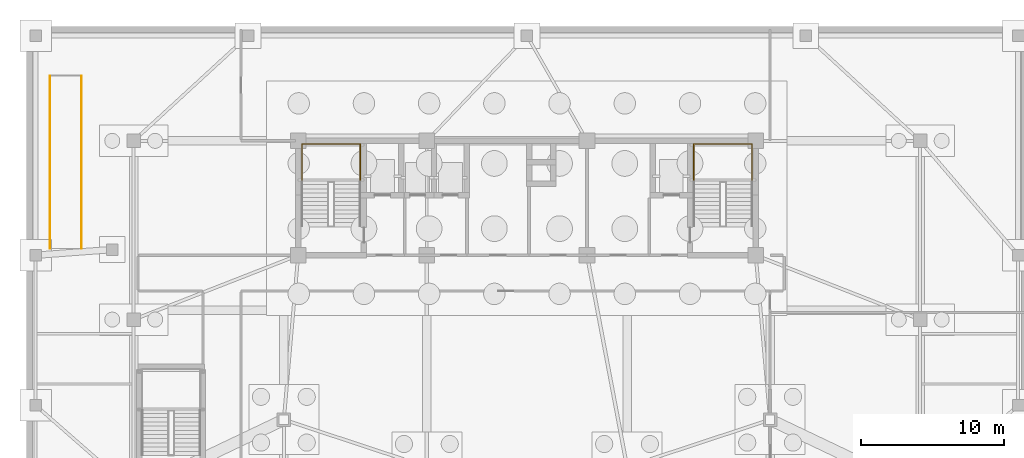
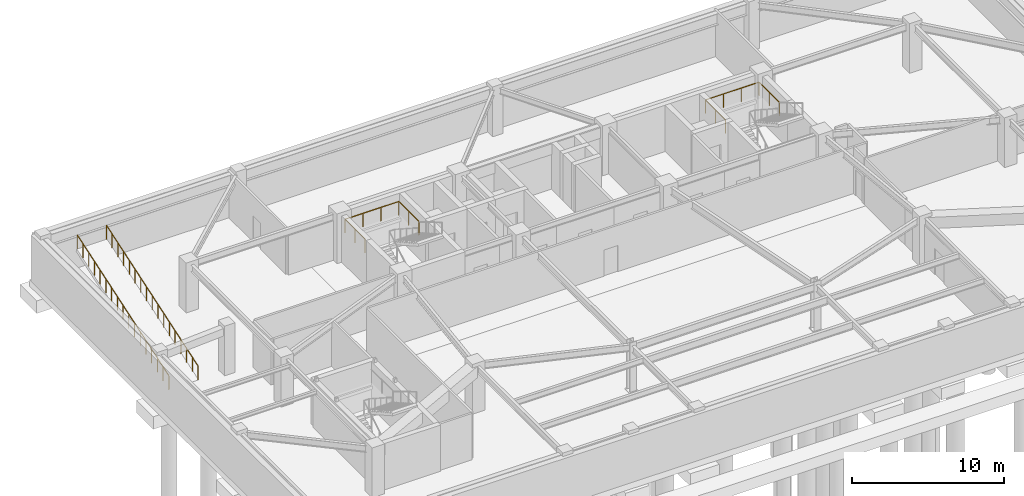
# One storey, part 9 of 10: 4 railings.
"""IFC4 building model written with IfcOpenShell, lengths in metres."""

from ifc_helpers import new_model, si_unit, direction, frame, origin, origin_2d, place, context, subcontext, project, spatial, rectangle, extrude, material, layer, layer_set, type_object, element, save


model = new_model("IFC4")

# Units and contexts
model_context = context("Model", 3, precision=1e-05, world=origin(), true_north=direction((0.0, 1.0)))
body_context = subcontext(model_context, "Body", "Model", "MODEL_VIEW")
ifc_project = project(units=[si_unit("LENGTHUNIT", "METRE"), si_unit("AREAUNIT", "SQUARE_METRE"), si_unit("VOLUMEUNIT", "CUBIC_METRE"), si_unit("PLANEANGLEUNIT", "RADIAN"), si_unit("MASSUNIT", "GRAM", prefix="KILO")], contexts=[model_context])

# Site, building, storey
site_placement = place(None, origin())
site = spatial("IfcSite", under=ifc_project, at=site_placement, CompositionType="ELEMENT")
building_placement = place(site_placement, origin())
building = spatial("IfcBuilding", under=site, at=building_placement, Name="Taldren Reach Tower", CompositionType="ELEMENT")
storey_placement = place(building_placement, frame((0.0, 0.0, -8.0)))
storey = spatial("IfcBuildingStorey", under=building, at=storey_placement, Name="B2", CompositionType="ELEMENT", Elevation=-8.0)

# Railings
ifc_material = material(Name="Steel Gr 350 (C350L0)", Category="steel")
ifc_layer = layer(ifc_material, 0.050048828125)
ifc_layer_set = layer_set([ifc_layer], Name="Steel Gr 350 (C350L0)")
railing_type = type_object("IfcRailingType", Name="RL-STAIR-GR", PredefinedType="GUARDRAIL", material=ifc_layer_set)
for number, where, name in (
    (1, (19.260009765625, 29.135009765625, 2.0), "Stair half-landing perimeter guard ST1-B2"),
    (2, (46.659912109375, 29.135009765625, 2.0), "Stair half-landing perimeter guard ST2-B2"),
):
    element("IfcRailing", number, at=place(storey_placement, frame(where)), inside=storey, type_object=railing_type, Name=name, PredefinedType="GUARDRAIL", context=body_context, shape_type="SweptSolid", body=[
        extrude(rectangle(XDim=0.047852, YDim=0.047852, at=origin_2d()), frame((0.0, 0.0, 1.09619140625), z_axis=(0.0, 1.0, 0.0), x_axis=(-1.0, 0.0, 0.0)), (0.0, 0.0, 1.0), 2.64501953125),
        extrude(rectangle(XDim=0.047852, YDim=0.047852, at=origin_2d()), frame((0.0, 2.64501953125, 1.09619140625), z_axis=(1.0, 0.0, 0.0), x_axis=(0.0, 1.0, 0.0)), (0.0, 0.0, 1.0), 4.080078125),
        extrude(rectangle(XDim=0.047852, YDim=0.047852, at=origin_2d()), frame((4.080078125, 2.64501953125, 1.09619140625), z_axis=(0.0, -1.0, 0.0), x_axis=(1.0, 0.0, 0.0)), (0.0, 0.0, 1.0), 2.64501953125),
        extrude(rectangle(XDim=0.041992, YDim=0.041992, at=origin_2d()), origin(), (0.0, 0.0, 1.0), 1.072021484375),
        extrude(rectangle(XDim=0.041992, YDim=0.041992, at=origin_2d()), frame((0.0, 1.322509765625, 0.0)), (0.0, 0.0, 1.0), 1.072021484375),
        extrude(rectangle(XDim=0.041992, YDim=0.041992, at=origin_2d()), frame((0.0, 2.64501953125, 0.0)), (0.0, 0.0, 1.0), 1.072021484375),
        extrude(rectangle(XDim=0.041992, YDim=0.041992, at=origin_2d()), frame((1.360107421875, 2.64501953125, 0.0)), (0.0, 0.0, 1.0), 1.072021484375),
        extrude(rectangle(XDim=0.041992, YDim=0.041992, at=origin_2d()), frame((2.719970703125, 2.64501953125, 0.0)), (0.0, 0.0, 1.0), 1.072021484375),
        extrude(rectangle(XDim=0.041992, YDim=0.041992, at=origin_2d()), frame((4.080078125, 2.64501953125, 0.0)), (0.0, 0.0, 1.0), 1.072021484375),
        extrude(rectangle(XDim=0.041992, YDim=0.041992, at=origin_2d()), frame((4.080078125, 1.322509765625, 0.0)), (0.0, 0.0, 1.0), 1.072021484375),
        extrude(rectangle(XDim=0.041992, YDim=0.041992, at=origin_2d()), frame((4.080078125, 0.0, 0.0)), (0.0, 0.0, 1.0), 1.072021484375),
    ])
railing_1_placement = place(storey_placement, frame((1.639892578125, 24.469970703125, 0.0)))
element("IfcRailing", 3, at=railing_1_placement, inside=storey, type_object=railing_type, Name="Vehicle ramp RV-1 west sloped guardrail", PredefinedType="GUARDRAIL", context=body_context, shape_type="SweptSolid", body=[
    extrude(rectangle(XDim=0.047852, YDim=0.047852, at=origin_2d()), frame((0.0, 0.0, 1.1259765625), z_axis=(0.0, 0.949154913494, 0.314809387074), x_axis=(-1.0, 0.0, 0.0)), (0.0, 0.0, 1.0), 12.7060546875),
    extrude(rectangle(XDim=0.041992, YDim=0.041992, at=origin_2d()), origin(), (0.0, 0.0, 1.0), 1.101806640625),
    extrude(rectangle(XDim=0.041992, YDim=0.041992, at=origin_2d()), frame((0.0, 0.753662109375, 0.25)), (0.0, 0.0, 1.0), 1.101806640625),
    extrude(rectangle(XDim=0.041992, YDim=0.041992, at=origin_2d()), frame((0.0, 1.507568359375, 0.5)), (0.0, 0.0, 1.0), 1.101806640625),
    extrude(rectangle(XDim=0.041992, YDim=0.041992, at=origin_2d()), frame((0.0, 2.26123046875, 0.75)), (0.0, 0.0, 1.0), 1.101806640625),
    extrude(rectangle(XDim=0.041992, YDim=0.041992, at=origin_2d()), frame((0.0, 3.01513671875, 1.0)), (0.0, 0.0, 1.0), 1.101806640625),
    extrude(rectangle(XDim=0.041992, YDim=0.041992, at=origin_2d()), frame((0.0, 3.768798828125, 1.25)), (0.0, 0.0, 1.0), 1.101806640625),
    extrude(rectangle(XDim=0.041992, YDim=0.041992, at=origin_2d()), frame((0.0, 4.5224609375, 1.5)), (0.0, 0.0, 1.0), 1.101806640625),
    extrude(rectangle(XDim=0.041992, YDim=0.041992, at=origin_2d()), frame((0.0, 5.2763671875, 1.75)), (0.0, 0.0, 1.0), 1.101806640625),
    extrude(rectangle(XDim=0.041992, YDim=0.041992, at=origin_2d()), frame((0.0, 6.030029296875, 2.0)), (0.0, 0.0, 1.0), 1.101806640625),
    extrude(rectangle(XDim=0.041992, YDim=0.041992, at=origin_2d()), frame((0.0, 6.78369140625, 2.25)), (0.0, 0.0, 1.0), 1.101806640625),
    extrude(rectangle(XDim=0.041992, YDim=0.041992, at=origin_2d()), frame((0.0, 7.53759765625, 2.5)), (0.0, 0.0, 1.0), 1.101806640625),
    extrude(rectangle(XDim=0.041992, YDim=0.041992, at=origin_2d()), frame((0.0, 8.291259765625, 2.75)), (0.0, 0.0, 1.0), 1.101806640625),
    extrude(rectangle(XDim=0.041992, YDim=0.041992, at=origin_2d()), frame((0.0, 9.044921875, 3.0)), (0.0, 0.0, 1.0), 1.101806640625),
    extrude(rectangle(XDim=0.041992, YDim=0.041992, at=origin_2d()), frame((0.0, 9.798828125, 3.25)), (0.0, 0.0, 1.0), 1.101806640625),
    extrude(rectangle(XDim=0.041992, YDim=0.041992, at=origin_2d()), frame((0.0, 10.552490234375, 3.5)), (0.0, 0.0, 1.0), 1.101806640625),
    extrude(rectangle(XDim=0.041992, YDim=0.041992, at=origin_2d()), frame((0.0, 11.306396484375, 3.75)), (0.0, 0.0, 1.0), 1.101806640625),
    extrude(rectangle(XDim=0.041992, YDim=0.041992, at=origin_2d()), frame((0.0, 12.06005859375, 4.0)), (0.0, 0.0, 1.0), 1.101806640625),
])
railing_2_placement = place(storey_placement, frame((3.860107421875, 24.469970703125, 0.0)))
element("IfcRailing", 4, at=railing_2_placement, inside=storey, type_object=railing_type, Name="Vehicle ramp RV-1 east sloped guardrail", PredefinedType="GUARDRAIL", context=body_context, shape_type="SweptSolid", body=[
    extrude(rectangle(XDim=0.047852, YDim=0.047852, at=origin_2d()), frame((0.0, 0.0, 1.1259765625), z_axis=(0.0, 0.949154913494, 0.314809387074), x_axis=(-1.0, 0.0, 0.0)), (0.0, 0.0, 1.0), 12.7060546875),
    extrude(rectangle(XDim=0.041992, YDim=0.041992, at=origin_2d()), origin(), (0.0, 0.0, 1.0), 1.101806640625),
    extrude(rectangle(XDim=0.041992, YDim=0.041992, at=origin_2d()), frame((0.0, 0.753662109375, 0.25)), (0.0, 0.0, 1.0), 1.101806640625),
    extrude(rectangle(XDim=0.041992, YDim=0.041992, at=origin_2d()), frame((0.0, 1.507568359375, 0.5)), (0.0, 0.0, 1.0), 1.101806640625),
    extrude(rectangle(XDim=0.041992, YDim=0.041992, at=origin_2d()), frame((0.0, 2.26123046875, 0.75)), (0.0, 0.0, 1.0), 1.101806640625),
    extrude(rectangle(XDim=0.041992, YDim=0.041992, at=origin_2d()), frame((0.0, 3.01513671875, 1.0)), (0.0, 0.0, 1.0), 1.101806640625),
    extrude(rectangle(XDim=0.041992, YDim=0.041992, at=origin_2d()), frame((0.0, 3.768798828125, 1.25)), (0.0, 0.0, 1.0), 1.101806640625),
    extrude(rectangle(XDim=0.041992, YDim=0.041992, at=origin_2d()), frame((0.0, 4.5224609375, 1.5)), (0.0, 0.0, 1.0), 1.101806640625),
    extrude(rectangle(XDim=0.041992, YDim=0.041992, at=origin_2d()), frame((0.0, 5.2763671875, 1.75)), (0.0, 0.0, 1.0), 1.101806640625),
    extrude(rectangle(XDim=0.041992, YDim=0.041992, at=origin_2d()), frame((0.0, 6.030029296875, 2.0)), (0.0, 0.0, 1.0), 1.101806640625),
    extrude(rectangle(XDim=0.041992, YDim=0.041992, at=origin_2d()), frame((0.0, 6.78369140625, 2.25)), (0.0, 0.0, 1.0), 1.101806640625),
    extrude(rectangle(XDim=0.041992, YDim=0.041992, at=origin_2d()), frame((0.0, 7.53759765625, 2.5)), (0.0, 0.0, 1.0), 1.101806640625),
    extrude(rectangle(XDim=0.041992, YDim=0.041992, at=origin_2d()), frame((0.0, 8.291259765625, 2.75)), (0.0, 0.0, 1.0), 1.101806640625),
    extrude(rectangle(XDim=0.041992, YDim=0.041992, at=origin_2d()), frame((0.0, 9.044921875, 3.0)), (0.0, 0.0, 1.0), 1.101806640625),
    extrude(rectangle(XDim=0.041992, YDim=0.041992, at=origin_2d()), frame((0.0, 9.798828125, 3.25)), (0.0, 0.0, 1.0), 1.101806640625),
    extrude(rectangle(XDim=0.041992, YDim=0.041992, at=origin_2d()), frame((0.0, 10.552490234375, 3.5)), (0.0, 0.0, 1.0), 1.101806640625),
    extrude(rectangle(XDim=0.041992, YDim=0.041992, at=origin_2d()), frame((0.0, 11.306396484375, 3.75)), (0.0, 0.0, 1.0), 1.101806640625),
    extrude(rectangle(XDim=0.041992, YDim=0.041992, at=origin_2d()), frame((0.0, 12.06005859375, 4.0)), (0.0, 0.0, 1.0), 1.101806640625),
])

save(model, "model.ifc")
